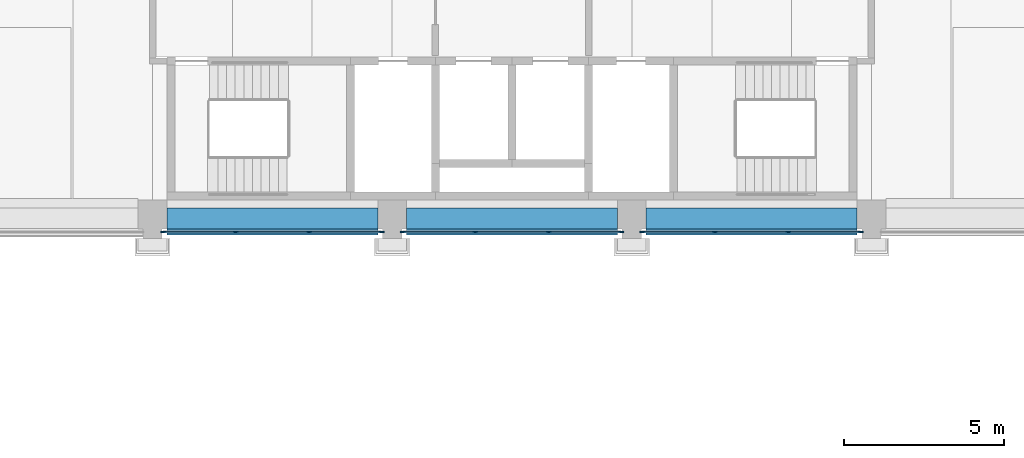
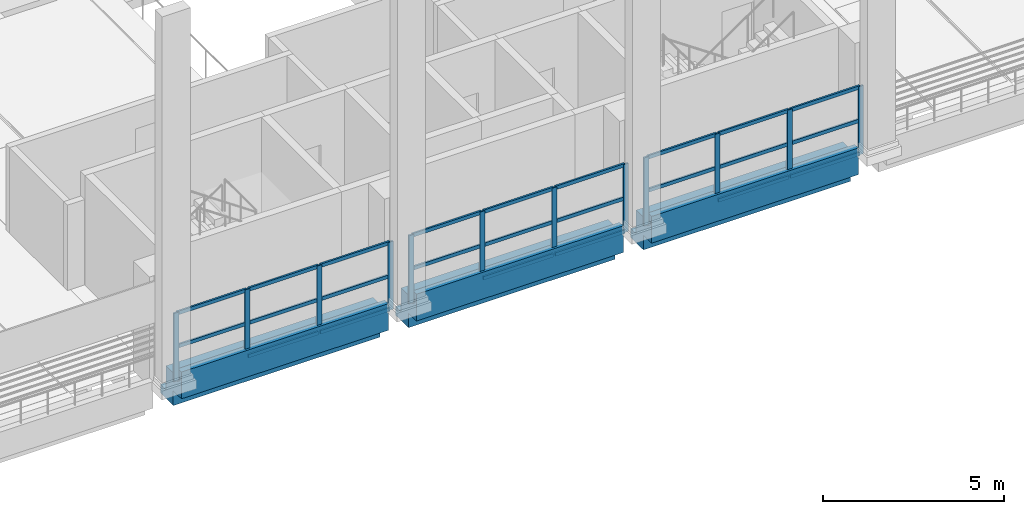
# One storey, part 7 of 67: 39 members, 3 beams, 3 elements without a shape of their own.
"""IFC4 building model written with IfcOpenShell, lengths in metres."""

import ifcopenshell
import ifcopenshell.guid

model = None  # the IFC model being written
_history = None  # IfcOwnerHistory: only IFC2X3 demands one
_inside = {}  # id of a spatial element -> (the spatial element, [elements in it])
_under = {}  # id of a project, library or spatial element -> (it, [spatial elements below it])
_declared = {}  # id of a project -> (the project, [libraries it declares])
_typed = {}  # id of a type object -> (the type object, [elements of that type])
_made_of = {}  # id of a material, layer set ... -> (it, [elements and type objects made of it])


def new_model(schema):
    """Start an empty IFC model of exactly this schema.

    Asked for "IFC4X3", IfcOpenShell would pick the latest addendum, in which some entities
    have other attributes; the version numbers below select the first issue.
    IFC2X3 requires an IfcOwnerHistory on every rooted entity: one is made here for all.
    """
    global model, _history
    if schema == "IFC4X3":
        model = ifcopenshell.file(schema_version=(4, 3, 0, 0))
    else:
        model = ifcopenshell.file(schema=schema)
    _inside.clear()
    _under.clear()
    _declared.clear()
    _typed.clear()
    _made_of.clear()
    _history = None
    if model.schema == "IFC2X3":
        org = make("IfcOrganization", Name="unknown")
        user = make(
            "IfcPersonAndOrganization",
            ThePerson=make("IfcPerson", FamilyName="unknown"),
            TheOrganization=org,
        )
        app = make(
            "IfcApplication",
            ApplicationDeveloper=org,
            Version="unknown",
            ApplicationFullName="unknown",
            ApplicationIdentifier="unknown",
        )
        _history = make(
            "IfcOwnerHistory",
            OwningUser=user,
            OwningApplication=app,
            ChangeAction="ADDED",
            CreationDate=0,
        )
    return model


def make(cls, **values):
    """One entity of the class cls with the attributes given. An attribute that is None is left unset."""
    return model.create_entity(
        cls, **{name: value for name, value in values.items() if value is not None}
    )


def rooted(cls, **values):
    """An entity with a GlobalId (a new one), such as an element, a storey or a relation."""
    return make(cls, GlobalId=ifcopenshell.guid.new(), OwnerHistory=_history, **values)


def si_unit(unit_type, name, prefix=None):
    """IfcSIUnit, for example si_unit("LENGTHUNIT", "METRE", prefix="MILLI")."""
    return make("IfcSIUnit", UnitType=unit_type, Prefix=prefix, Name=name)


def assignment(units):
    """IfcUnitAssignment: the units of a project."""
    return None if units is None else make("IfcUnitAssignment", Units=units)


def point(xyz):
    """IfcCartesianPoint."""
    return None if xyz is None else make("IfcCartesianPoint", Coordinates=xyz)


def direction(xyz):
    """IfcDirection."""
    return None if xyz is None else make("IfcDirection", DirectionRatios=xyz)


def frame(location, z_axis=None, x_axis=None):
    """IfcAxis2Placement3D, a coordinate frame: its origin and axes. An axis left out is left unset."""
    return make(
        "IfcAxis2Placement3D",
        Location=point(location),
        Axis=direction(z_axis),
        RefDirection=direction(x_axis),
    )


def frame_2d(location, x_axis=None):
    """IfcAxis2Placement2D, a coordinate frame in the plane: its origin and x axis."""
    return make(
        "IfcAxis2Placement2D", Location=point(location), RefDirection=direction(x_axis)
    )


def origin():
    """The frame at (0, 0, 0) with its axes left unset."""
    return frame((0.0, 0.0, 0.0))


def origin_2d():
    """The frame at (0, 0) in the plane with its x axis left unset."""
    return frame_2d((0.0, 0.0))


def place(relative_to, where):
    """IfcLocalPlacement: puts the frame where relative to a parent placement (None: the world)."""
    return make(
        "IfcLocalPlacement", PlacementRelTo=relative_to, RelativePlacement=where
    )


def context(
    kind, dimensions, precision=None, world=None, true_north=None, identifier=None
):
    """IfcGeometricRepresentationContext, for example the 3D "Model" context."""
    return make(
        "IfcGeometricRepresentationContext",
        ContextIdentifier=identifier,
        ContextType=kind,
        CoordinateSpaceDimension=dimensions,
        Precision=precision,
        WorldCoordinateSystem=world,
        TrueNorth=true_north,
    )


def subcontext(parent, identifier, kind, view, scale=None):
    """IfcGeometricRepresentationSubContext, for example "Body" below "Model"."""
    return make(
        "IfcGeometricRepresentationSubContext",
        ContextIdentifier=identifier,
        ContextType=kind,
        ParentContext=parent,
        TargetScale=scale,
        TargetView=view,
    )


def project(units=None, contexts=None):
    """IfcProject with its units and contexts."""
    return rooted(
        "IfcProject",
        Name="project",
        RepresentationContexts=contexts,
        UnitsInContext=assignment(units),
    )


def spatial(cls, under=None, at=None, **own):
    """A site, building, storey or space (cls), placed at a placement, below another one or the project."""
    s = rooted(cls, ObjectPlacement=at, **own)
    if under is not None:
        _under.setdefault(under.id(), (under, []))[1].append(s)
    return s


def polyline(points):
    """IfcPolyline through the points."""
    return make("IfcPolyline", Points=[point(p) for p in points])


def profile(cls, at=None, kind="AREA", **sizes):
    """A parametric profile (cls). Its sizes go by their IFC names, for example OverallWidth=200.0."""
    return make(cls, ProfileType=kind, Position=at, **sizes)


def rectangle(**sizes):
    """IfcRectangleProfileDef."""
    return profile("IfcRectangleProfileDef", **sizes)


def outline(outer, holes=None, kind="AREA"):
    """IfcArbitraryClosedProfileDef: a profile drawn as a closed curve; with holes, ...WithVoids."""
    if holes is None:
        return make("IfcArbitraryClosedProfileDef", ProfileType=kind, OuterCurve=outer)
    return make(
        "IfcArbitraryProfileDefWithVoids",
        ProfileType=kind,
        OuterCurve=outer,
        InnerCurves=holes,
    )


def extrude(swept, where, along, depth):
    """IfcExtrudedAreaSolid: the profile swept, set in the frame where, extruded along a direction by depth."""
    return make(
        "IfcExtrudedAreaSolid",
        SweptArea=swept,
        Position=where,
        ExtrudedDirection=direction(along),
        Depth=depth,
    )


def shape(context_of_items, identifier, shape_type, items):
    """IfcShapeRepresentation: the items that make up one representation, for example the "Body"."""
    return make(
        "IfcShapeRepresentation",
        ContextOfItems=context_of_items,
        RepresentationIdentifier=identifier,
        RepresentationType=shape_type,
        Items=items,
    )


def material(Name=None, Category=None):
    """IfcMaterial."""
    return make("IfcMaterial", Name=Name, Category=Category)


def layer(
    of_material, thickness, ventilated=None, Name=None, Category=None, Priority=None
):
    """IfcMaterialLayer: one layer of a wall or slab, of a material (None: an air gap)."""
    return make(
        "IfcMaterialLayer",
        Material=of_material,
        LayerThickness=thickness,
        IsVentilated=ventilated,
        Name=Name,
        Category=Category,
        Priority=Priority,
    )


def layer_set(layers, Name=None):
    """IfcMaterialLayerSet."""
    return make("IfcMaterialLayerSet", MaterialLayers=layers, LayerSetName=Name)


def material_profile(
    of_material, cross_section, Name=None, Category=None, Priority=None
):
    """IfcMaterialProfile: a cross section and its material."""
    return make(
        "IfcMaterialProfile",
        Name=Name,
        Material=of_material,
        Profile=cross_section,
        Priority=Priority,
        Category=Category,
    )


def profile_set(profiles, Name=None, composite=None):
    """IfcMaterialProfileSet."""
    return make(
        "IfcMaterialProfileSet",
        Name=Name,
        MaterialProfiles=profiles,
        CompositeProfile=composite,
    )


def made_of(thing, what):
    """Note that an element or type object is made of a material, layer set ...; save() writes the relation."""
    if what is not None:
        _made_of.setdefault(what.id(), (what, []))[1].append(thing)
    return thing


def type_object(cls, material=None, **own):
    """A type object (cls), such as IfcWallType, which elements share."""
    return made_of(rooted(cls, **own), material)


def element(
    cls,
    number,
    at=None,
    inside=None,
    cuts=None,
    type_object=None,
    material=None,
    context=None,
    identifier="Body",
    shape_type=None,
    held_by="IfcProductDefinitionShape",
    body=None,
    shapes=None,
    **own,
):
    """One element of the class cls, such as IfcWall. Its Tag is "e" and its number.

    at: its placement. inside: the storey or other place that contains it. cuts: it is an
    opening in that element (IfcRelVoidsElement). A single representation is given by context,
    identifier, shape_type and body (its items); several are given by shapes. held_by: the class
    of the entity that holds the representations. save() writes the other relations.
    """
    e = rooted(cls, Tag="e%d" % number, ObjectPlacement=at, **own)
    if body is not None:
        shapes = [shape(context, identifier, shape_type, body)]
    if shapes is not None:
        e.Representation = make(held_by, Representations=shapes)
    if inside is not None:
        _inside.setdefault(inside.id(), (inside, []))[1].append(e)
    if cuts is not None:
        rooted(
            "IfcRelVoidsElement", RelatingBuildingElement=cuts, RelatedOpeningElement=e
        )
    if type_object is not None:
        _typed.setdefault(type_object.id(), (type_object, []))[1].append(e)
    return made_of(e, material)


def aggregate(whole, parts):
    """IfcRelAggregates: a whole, such as a stair, and the parts it consists of."""
    return rooted("IfcRelAggregates", RelatingObject=whole, RelatedObjects=parts)


def save(model, path):
    """Write the relations noted so far, then the file.

    IfcRelAggregates (storeys below a building ...), IfcRelContainedInSpatialStructure (elements
    in a storey), IfcRelDefinesByType, IfcRelAssociatesMaterial and IfcRelDeclares: one each for
    every whole, place, type object, material and project.
    """
    for whole, parts in _under.values():
        aggregate(whole, parts)
    for where, things in _inside.values():
        rooted(
            "IfcRelContainedInSpatialStructure",
            RelatedElements=things,
            RelatingStructure=where,
        )
    for kind, things in _typed.values():
        rooted("IfcRelDefinesByType", RelatedObjects=things, RelatingType=kind)
    for what, things in _made_of.values():
        rooted("IfcRelAssociatesMaterial", RelatedObjects=things, RelatingMaterial=what)
    for by, libraries in _declared.values():
        rooted("IfcRelDeclares", RelatingContext=by, RelatedDefinitions=libraries)
    model.write(path)


model = new_model("IFC4")

# Units and contexts
model_context = context("Model", 3, precision=1e-05, world=origin(), true_north=direction((0.0, 1.0)))
body_context = subcontext(model_context, "Body", "Model", "MODEL_VIEW")
ifc_project = project(units=[si_unit("LENGTHUNIT", "METRE"), si_unit("AREAUNIT", "SQUARE_METRE"), si_unit("VOLUMEUNIT", "CUBIC_METRE"), si_unit("PLANEANGLEUNIT", "RADIAN"), si_unit("MASSUNIT", "GRAM", prefix="KILO")], contexts=[model_context])

# Site, building, storey
site_placement = place(None, origin())
site = spatial("IfcSite", under=ifc_project, at=site_placement, CompositionType="ELEMENT")
building_placement = place(site_placement, origin())
building = spatial("IfcBuilding", under=site, at=building_placement, Name="Cour d'Honneur Mobility Palace", CompositionType="ELEMENT")
storey_placement = place(building_placement, frame((0.0, 0.0, 4.5)))
storey = spatial("IfcBuildingStorey", under=building, at=storey_placement, Name="L01", CompositionType="ELEMENT", Elevation=4.5)

# Curtain wall, members
ifc_material_1 = material(Name="Aluminium and glass", Category="aluminium")
ifc_layer = layer(ifc_material_1, 0.10009765625)
ifc_layer_set = layer_set([ifc_layer], Name="Aluminium and glass")
curtain_wall_type = type_object("IfcCurtainWallType", Name="Curtain wall run", PredefinedType="NOTDEFINED", material=ifc_layer_set)
curtain_wall_1_placement = place(storey_placement, origin())
curtain_wall_1 = element("IfcCurtainWall", 1, at=curtain_wall_1_placement, inside=storey, type_object=curtain_wall_type, Name="Curtain wall CW-72", PredefinedType="NOTDEFINED")
ifc_material_2 = material(Name="Aluminium", Category="aluminium")
ifc_material_profile_1 = material_profile(ifc_material_2, rectangle(XDim=0.06005859375, YDim=0.159912109375, at=origin_2d()), Name="Curtain wall mullion")
ifc_profile_set_1 = profile_set([ifc_material_profile_1], Name="Aluminium")
member_type_1 = type_object("IfcMemberType", Name="Curtain wall mullion", PredefinedType="MULLION", material=ifc_profile_set_1)
member_1_placement = place(storey_placement, frame((70.22998046875, 44.449951171875, 0.0), z_axis=(0.0, 0.0, 1.0), x_axis=(0.0, 1.0, 0.0)))
member_1 = element("IfcMember", 2, at=member_1_placement, type_object=member_type_1, Name="CW-72 mullion 1", PredefinedType="MULLION", context=body_context, shape_type="SweptSolid", body=[
    extrude(rectangle(XDim=0.06005859375, YDim=0.159912109375, at=origin_2d()), origin(), (0.0, 0.0, 1.0), 2.300048828125),
])
member_2_placement = place(storey_placement, frame((72.5, 44.449951171875, 0.0), z_axis=(0.0, 0.0, 1.0), x_axis=(0.0, 1.0, 0.0)))
member_2 = element("IfcMember", 3, at=member_2_placement, type_object=member_type_1, Name="CW-72 mullion 2", PredefinedType="MULLION", context=body_context, shape_type="SweptSolid", body=[
    extrude(rectangle(XDim=0.06005859375, YDim=0.159912109375, at=origin_2d()), origin(), (0.0, 0.0, 1.0), 2.300048828125),
])
member_3_placement = place(storey_placement, frame((74.800048828125, 44.449951171875, 0.0), z_axis=(0.0, 0.0, 1.0), x_axis=(0.0, 1.0, 0.0)))
member_3 = element("IfcMember", 4, at=member_3_placement, type_object=member_type_1, Name="CW-72 mullion 3", PredefinedType="MULLION", context=body_context, shape_type="SweptSolid", body=[
    extrude(rectangle(XDim=0.06005859375, YDim=0.159912109375, at=origin_2d()), origin(), (0.0, 0.0, 1.0), 2.300048828125),
])
member_4_placement = place(storey_placement, frame((77.070068359375, 44.449951171875, 0.0), z_axis=(0.0, 0.0, 1.0), x_axis=(0.0, 1.0, 0.0)))
member_4 = element("IfcMember", 5, at=member_4_placement, type_object=member_type_1, Name="CW-72 mullion 4", PredefinedType="MULLION", context=body_context, shape_type="SweptSolid", body=[
    extrude(rectangle(XDim=0.06005859375, YDim=0.159912109375, at=origin_2d()), origin(), (0.0, 0.0, 1.0), 2.300048828125),
])

curtain_wall_2_placement = place(storey_placement, origin())
curtain_wall_2 = element("IfcCurtainWall", 6, at=curtain_wall_2_placement, inside=storey, type_object=curtain_wall_type, Name="Curtain wall CW-73", PredefinedType="NOTDEFINED")
member_5_placement = place(storey_placement, frame((77.72998046875, 44.449951171875, 0.0), z_axis=(0.0, 0.0, 1.0), x_axis=(0.0, 1.0, 0.0)))
member_5 = element("IfcMember", 7, at=member_5_placement, type_object=member_type_1, Name="CW-73 mullion 1", PredefinedType="MULLION", context=body_context, shape_type="SweptSolid", body=[
    extrude(rectangle(XDim=0.06005859375, YDim=0.159912109375, at=origin_2d()), origin(), (0.0, 0.0, 1.0), 2.300048828125),
])
member_6_placement = place(storey_placement, frame((80.0, 44.449951171875, 0.0), z_axis=(0.0, 0.0, 1.0), x_axis=(0.0, 1.0, 0.0)))
member_6 = element("IfcMember", 8, at=member_6_placement, type_object=member_type_1, Name="CW-73 mullion 2", PredefinedType="MULLION", context=body_context, shape_type="SweptSolid", body=[
    extrude(rectangle(XDim=0.06005859375, YDim=0.159912109375, at=origin_2d()), origin(), (0.0, 0.0, 1.0), 2.300048828125),
])
member_7_placement = place(storey_placement, frame((82.300048828125, 44.449951171875, 0.0), z_axis=(0.0, 0.0, 1.0), x_axis=(0.0, 1.0, 0.0)))
member_7 = element("IfcMember", 9, at=member_7_placement, type_object=member_type_1, Name="CW-73 mullion 3", PredefinedType="MULLION", context=body_context, shape_type="SweptSolid", body=[
    extrude(rectangle(XDim=0.06005859375, YDim=0.159912109375, at=origin_2d()), origin(), (0.0, 0.0, 1.0), 2.300048828125),
])
member_8_placement = place(storey_placement, frame((84.570068359375, 44.449951171875, 0.0), z_axis=(0.0, 0.0, 1.0), x_axis=(0.0, 1.0, 0.0)))
member_8 = element("IfcMember", 10, at=member_8_placement, type_object=member_type_1, Name="CW-73 mullion 4", PredefinedType="MULLION", context=body_context, shape_type="SweptSolid", body=[
    extrude(rectangle(XDim=0.06005859375, YDim=0.159912109375, at=origin_2d()), origin(), (0.0, 0.0, 1.0), 2.300048828125),
])

curtain_wall_3_placement = place(storey_placement, origin())
curtain_wall_3 = element("IfcCurtainWall", 11, at=curtain_wall_3_placement, inside=storey, type_object=curtain_wall_type, Name="Curtain wall CW-74", PredefinedType="NOTDEFINED")
member_9_placement = place(storey_placement, frame((85.22998046875, 44.449951171875, 0.0), z_axis=(0.0, 0.0, 1.0), x_axis=(0.0, 1.0, 0.0)))
member_9 = element("IfcMember", 12, at=member_9_placement, type_object=member_type_1, Name="CW-74 mullion 1", PredefinedType="MULLION", context=body_context, shape_type="SweptSolid", body=[
    extrude(rectangle(XDim=0.06005859375, YDim=0.159912109375, at=origin_2d()), origin(), (0.0, 0.0, 1.0), 2.300048828125),
])
member_10_placement = place(storey_placement, frame((87.5, 44.449951171875, 0.0), z_axis=(0.0, 0.0, 1.0), x_axis=(0.0, 1.0, 0.0)))
member_10 = element("IfcMember", 13, at=member_10_placement, type_object=member_type_1, Name="CW-74 mullion 2", PredefinedType="MULLION", context=body_context, shape_type="SweptSolid", body=[
    extrude(rectangle(XDim=0.06005859375, YDim=0.159912109375, at=origin_2d()), origin(), (0.0, 0.0, 1.0), 2.300048828125),
])
member_11_placement = place(storey_placement, frame((89.800048828125, 44.449951171875, 0.0), z_axis=(0.0, 0.0, 1.0), x_axis=(0.0, 1.0, 0.0)))
member_11 = element("IfcMember", 14, at=member_11_placement, type_object=member_type_1, Name="CW-74 mullion 3", PredefinedType="MULLION", context=body_context, shape_type="SweptSolid", body=[
    extrude(rectangle(XDim=0.06005859375, YDim=0.159912109375, at=origin_2d()), origin(), (0.0, 0.0, 1.0), 2.300048828125),
])
member_12_placement = place(storey_placement, frame((92.070068359375, 44.449951171875, 0.0), z_axis=(0.0, 0.0, 1.0), x_axis=(0.0, 1.0, 0.0)))
member_12 = element("IfcMember", 15, at=member_12_placement, type_object=member_type_1, Name="CW-74 mullion 4", PredefinedType="MULLION", context=body_context, shape_type="SweptSolid", body=[
    extrude(rectangle(XDim=0.06005859375, YDim=0.159912109375, at=origin_2d()), origin(), (0.0, 0.0, 1.0), 2.300048828125),
])

# Member
ifc_material_3 = material(Name="Aluminium", Category="aluminium")
ifc_material_profile_2 = material_profile(ifc_material_3, rectangle(XDim=0.06005859375, YDim=0.1201171875, at=origin_2d()), Name="Curtain wall transom")
ifc_profile_set_2 = profile_set([ifc_material_profile_2], Name="Aluminium")
member_type_2 = type_object("IfcMemberType", Name="Curtain wall transom", PredefinedType="USERDEFINED", material=ifc_profile_set_2)
member_13_placement = place(storey_placement, frame((70.260009765625, 44.449951171875, 0.030029296875), z_axis=(1.0, 0.0, 0.0), x_axis=(0.0, 1.0, 0.0)))
member_13 = element("IfcMember", 16, at=member_13_placement, type_object=member_type_2, Name="CW-72 transom 1.1", ObjectType="TRANSOM", PredefinedType="USERDEFINED", context=body_context, shape_type="SweptSolid", body=[
    extrude(rectangle(XDim=0.06005859375, YDim=0.1201171875, at=origin_2d()), origin(), (0.0, 0.0, 1.0), 2.2099609375),
])

member_14_placement = place(storey_placement, frame((70.260009765625, 44.449951171875, 1.14990234375), z_axis=(1.0, 0.0, 0.0), x_axis=(0.0, 1.0, 0.0)))
member_14 = element("IfcMember", 17, at=member_14_placement, type_object=member_type_2, Name="CW-72 transom 1.2", ObjectType="TRANSOM", PredefinedType="USERDEFINED", context=body_context, shape_type="SweptSolid", body=[
    extrude(rectangle(XDim=0.06005859375, YDim=0.1201171875, at=origin_2d()), origin(), (0.0, 0.0, 1.0), 2.2099609375),
])

member_15_placement = place(storey_placement, frame((70.260009765625, 44.449951171875, 2.27001953125), z_axis=(1.0, 0.0, 0.0), x_axis=(0.0, 1.0, 0.0)))
member_15 = element("IfcMember", 18, at=member_15_placement, type_object=member_type_2, Name="CW-72 transom 1.3", ObjectType="TRANSOM", PredefinedType="USERDEFINED", context=body_context, shape_type="SweptSolid", body=[
    extrude(rectangle(XDim=0.06005859375, YDim=0.1201171875, at=origin_2d()), origin(), (0.0, 0.0, 1.0), 2.2099609375),
])

member_16_placement = place(storey_placement, frame((72.530029296875, 44.449951171875, 0.030029296875), z_axis=(1.0, 0.0, 0.0), x_axis=(0.0, 1.0, 0.0)))
member_16 = element("IfcMember", 19, at=member_16_placement, type_object=member_type_2, Name="CW-72 transom 2.1", ObjectType="TRANSOM", PredefinedType="USERDEFINED", context=body_context, shape_type="SweptSolid", body=[
    extrude(rectangle(XDim=0.06005859375, YDim=0.1201171875, at=origin_2d()), origin(), (0.0, 0.0, 1.0), 2.239990234375),
])

member_17_placement = place(storey_placement, frame((72.530029296875, 44.449951171875, 1.14990234375), z_axis=(1.0, 0.0, 0.0), x_axis=(0.0, 1.0, 0.0)))
member_17 = element("IfcMember", 20, at=member_17_placement, type_object=member_type_2, Name="CW-72 transom 2.2", ObjectType="TRANSOM", PredefinedType="USERDEFINED", context=body_context, shape_type="SweptSolid", body=[
    extrude(rectangle(XDim=0.06005859375, YDim=0.1201171875, at=origin_2d()), origin(), (0.0, 0.0, 1.0), 2.239990234375),
])

member_18_placement = place(storey_placement, frame((72.530029296875, 44.449951171875, 2.27001953125), z_axis=(1.0, 0.0, 0.0), x_axis=(0.0, 1.0, 0.0)))
member_18 = element("IfcMember", 21, at=member_18_placement, type_object=member_type_2, Name="CW-72 transom 2.3", ObjectType="TRANSOM", PredefinedType="USERDEFINED", context=body_context, shape_type="SweptSolid", body=[
    extrude(rectangle(XDim=0.06005859375, YDim=0.1201171875, at=origin_2d()), origin(), (0.0, 0.0, 1.0), 2.239990234375),
])

member_19_placement = place(storey_placement, frame((74.830078125, 44.449951171875, 0.030029296875), z_axis=(1.0, 0.0, 0.0), x_axis=(0.0, 1.0, 0.0)))
member_19 = element("IfcMember", 22, at=member_19_placement, type_object=member_type_2, Name="CW-72 transom 3.1", ObjectType="TRANSOM", PredefinedType="USERDEFINED", context=body_context, shape_type="SweptSolid", body=[
    extrude(rectangle(XDim=0.06005859375, YDim=0.1201171875, at=origin_2d()), origin(), (0.0, 0.0, 1.0), 2.2099609375),
])

member_20_placement = place(storey_placement, frame((74.830078125, 44.449951171875, 1.14990234375), z_axis=(1.0, 0.0, 0.0), x_axis=(0.0, 1.0, 0.0)))
member_20 = element("IfcMember", 23, at=member_20_placement, type_object=member_type_2, Name="CW-72 transom 3.2", ObjectType="TRANSOM", PredefinedType="USERDEFINED", context=body_context, shape_type="SweptSolid", body=[
    extrude(rectangle(XDim=0.06005859375, YDim=0.1201171875, at=origin_2d()), origin(), (0.0, 0.0, 1.0), 2.2099609375),
])

member_21_placement = place(storey_placement, frame((74.830078125, 44.449951171875, 2.27001953125), z_axis=(1.0, 0.0, 0.0), x_axis=(0.0, 1.0, 0.0)))
member_21 = element("IfcMember", 24, at=member_21_placement, type_object=member_type_2, Name="CW-72 transom 3.3", ObjectType="TRANSOM", PredefinedType="USERDEFINED", context=body_context, shape_type="SweptSolid", body=[
    extrude(rectangle(XDim=0.06005859375, YDim=0.1201171875, at=origin_2d()), origin(), (0.0, 0.0, 1.0), 2.2099609375),
])

aggregate(curtain_wall_1, [member_1, member_2, member_3, member_4, member_13, member_14, member_15, member_16, member_17, member_18, member_19, member_20, member_21])

member_22_placement = place(storey_placement, frame((77.760009765625, 44.449951171875, 0.030029296875), z_axis=(1.0, 0.0, 0.0), x_axis=(0.0, 1.0, 0.0)))
member_22 = element("IfcMember", 25, at=member_22_placement, type_object=member_type_2, Name="CW-73 transom 1.1", ObjectType="TRANSOM", PredefinedType="USERDEFINED", context=body_context, shape_type="SweptSolid", body=[
    extrude(rectangle(XDim=0.06005859375, YDim=0.1201171875, at=origin_2d()), origin(), (0.0, 0.0, 1.0), 2.2099609375),
])

member_23_placement = place(storey_placement, frame((77.760009765625, 44.449951171875, 1.14990234375), z_axis=(1.0, 0.0, 0.0), x_axis=(0.0, 1.0, 0.0)))
member_23 = element("IfcMember", 26, at=member_23_placement, type_object=member_type_2, Name="CW-73 transom 1.2", ObjectType="TRANSOM", PredefinedType="USERDEFINED", context=body_context, shape_type="SweptSolid", body=[
    extrude(rectangle(XDim=0.06005859375, YDim=0.1201171875, at=origin_2d()), origin(), (0.0, 0.0, 1.0), 2.2099609375),
])

member_24_placement = place(storey_placement, frame((77.760009765625, 44.449951171875, 2.27001953125), z_axis=(1.0, 0.0, 0.0), x_axis=(0.0, 1.0, 0.0)))
member_24 = element("IfcMember", 27, at=member_24_placement, type_object=member_type_2, Name="CW-73 transom 1.3", ObjectType="TRANSOM", PredefinedType="USERDEFINED", context=body_context, shape_type="SweptSolid", body=[
    extrude(rectangle(XDim=0.06005859375, YDim=0.1201171875, at=origin_2d()), origin(), (0.0, 0.0, 1.0), 2.2099609375),
])

member_25_placement = place(storey_placement, frame((80.030029296875, 44.449951171875, 0.030029296875), z_axis=(1.0, 0.0, 0.0), x_axis=(0.0, 1.0, 0.0)))
member_25 = element("IfcMember", 28, at=member_25_placement, type_object=member_type_2, Name="CW-73 transom 2.1", ObjectType="TRANSOM", PredefinedType="USERDEFINED", context=body_context, shape_type="SweptSolid", body=[
    extrude(rectangle(XDim=0.06005859375, YDim=0.1201171875, at=origin_2d()), origin(), (0.0, 0.0, 1.0), 2.239990234375),
])

member_26_placement = place(storey_placement, frame((80.030029296875, 44.449951171875, 1.14990234375), z_axis=(1.0, 0.0, 0.0), x_axis=(0.0, 1.0, 0.0)))
member_26 = element("IfcMember", 29, at=member_26_placement, type_object=member_type_2, Name="CW-73 transom 2.2", ObjectType="TRANSOM", PredefinedType="USERDEFINED", context=body_context, shape_type="SweptSolid", body=[
    extrude(rectangle(XDim=0.06005859375, YDim=0.1201171875, at=origin_2d()), origin(), (0.0, 0.0, 1.0), 2.239990234375),
])

member_27_placement = place(storey_placement, frame((80.030029296875, 44.449951171875, 2.27001953125), z_axis=(1.0, 0.0, 0.0), x_axis=(0.0, 1.0, 0.0)))
member_27 = element("IfcMember", 30, at=member_27_placement, type_object=member_type_2, Name="CW-73 transom 2.3", ObjectType="TRANSOM", PredefinedType="USERDEFINED", context=body_context, shape_type="SweptSolid", body=[
    extrude(rectangle(XDim=0.06005859375, YDim=0.1201171875, at=origin_2d()), origin(), (0.0, 0.0, 1.0), 2.239990234375),
])

member_28_placement = place(storey_placement, frame((82.330078125, 44.449951171875, 0.030029296875), z_axis=(1.0, 0.0, 0.0), x_axis=(0.0, 1.0, 0.0)))
member_28 = element("IfcMember", 31, at=member_28_placement, type_object=member_type_2, Name="CW-73 transom 3.1", ObjectType="TRANSOM", PredefinedType="USERDEFINED", context=body_context, shape_type="SweptSolid", body=[
    extrude(rectangle(XDim=0.06005859375, YDim=0.1201171875, at=origin_2d()), origin(), (0.0, 0.0, 1.0), 2.2099609375),
])

member_29_placement = place(storey_placement, frame((82.330078125, 44.449951171875, 1.14990234375), z_axis=(1.0, 0.0, 0.0), x_axis=(0.0, 1.0, 0.0)))
member_29 = element("IfcMember", 32, at=member_29_placement, type_object=member_type_2, Name="CW-73 transom 3.2", ObjectType="TRANSOM", PredefinedType="USERDEFINED", context=body_context, shape_type="SweptSolid", body=[
    extrude(rectangle(XDim=0.06005859375, YDim=0.1201171875, at=origin_2d()), origin(), (0.0, 0.0, 1.0), 2.2099609375),
])

member_30_placement = place(storey_placement, frame((82.330078125, 44.449951171875, 2.27001953125), z_axis=(1.0, 0.0, 0.0), x_axis=(0.0, 1.0, 0.0)))
member_30 = element("IfcMember", 33, at=member_30_placement, type_object=member_type_2, Name="CW-73 transom 3.3", ObjectType="TRANSOM", PredefinedType="USERDEFINED", context=body_context, shape_type="SweptSolid", body=[
    extrude(rectangle(XDim=0.06005859375, YDim=0.1201171875, at=origin_2d()), origin(), (0.0, 0.0, 1.0), 2.2099609375),
])

aggregate(curtain_wall_2, [member_5, member_6, member_7, member_8, member_22, member_23, member_24, member_25, member_26, member_27, member_28, member_29, member_30])

member_31_placement = place(storey_placement, frame((85.260009765625, 44.449951171875, 0.030029296875), z_axis=(1.0, 0.0, 0.0), x_axis=(0.0, 1.0, 0.0)))
member_31 = element("IfcMember", 34, at=member_31_placement, type_object=member_type_2, Name="CW-74 transom 1.1", ObjectType="TRANSOM", PredefinedType="USERDEFINED", context=body_context, shape_type="SweptSolid", body=[
    extrude(rectangle(XDim=0.06005859375, YDim=0.1201171875, at=origin_2d()), origin(), (0.0, 0.0, 1.0), 2.2099609375),
])

member_32_placement = place(storey_placement, frame((85.260009765625, 44.449951171875, 1.14990234375), z_axis=(1.0, 0.0, 0.0), x_axis=(0.0, 1.0, 0.0)))
member_32 = element("IfcMember", 35, at=member_32_placement, type_object=member_type_2, Name="CW-74 transom 1.2", ObjectType="TRANSOM", PredefinedType="USERDEFINED", context=body_context, shape_type="SweptSolid", body=[
    extrude(rectangle(XDim=0.06005859375, YDim=0.1201171875, at=origin_2d()), origin(), (0.0, 0.0, 1.0), 2.2099609375),
])

member_33_placement = place(storey_placement, frame((85.260009765625, 44.449951171875, 2.27001953125), z_axis=(1.0, 0.0, 0.0), x_axis=(0.0, 1.0, 0.0)))
member_33 = element("IfcMember", 36, at=member_33_placement, type_object=member_type_2, Name="CW-74 transom 1.3", ObjectType="TRANSOM", PredefinedType="USERDEFINED", context=body_context, shape_type="SweptSolid", body=[
    extrude(rectangle(XDim=0.06005859375, YDim=0.1201171875, at=origin_2d()), origin(), (0.0, 0.0, 1.0), 2.2099609375),
])

member_34_placement = place(storey_placement, frame((87.530029296875, 44.449951171875, 0.030029296875), z_axis=(1.0, 0.0, 0.0), x_axis=(0.0, 1.0, 0.0)))
member_34 = element("IfcMember", 37, at=member_34_placement, type_object=member_type_2, Name="CW-74 transom 2.1", ObjectType="TRANSOM", PredefinedType="USERDEFINED", context=body_context, shape_type="SweptSolid", body=[
    extrude(rectangle(XDim=0.06005859375, YDim=0.1201171875, at=origin_2d()), origin(), (0.0, 0.0, 1.0), 2.239990234375),
])

member_35_placement = place(storey_placement, frame((87.530029296875, 44.449951171875, 1.14990234375), z_axis=(1.0, 0.0, 0.0), x_axis=(0.0, 1.0, 0.0)))
member_35 = element("IfcMember", 38, at=member_35_placement, type_object=member_type_2, Name="CW-74 transom 2.2", ObjectType="TRANSOM", PredefinedType="USERDEFINED", context=body_context, shape_type="SweptSolid", body=[
    extrude(rectangle(XDim=0.06005859375, YDim=0.1201171875, at=origin_2d()), origin(), (0.0, 0.0, 1.0), 2.239990234375),
])

member_36_placement = place(storey_placement, frame((87.530029296875, 44.449951171875, 2.27001953125), z_axis=(1.0, 0.0, 0.0), x_axis=(0.0, 1.0, 0.0)))
member_36 = element("IfcMember", 39, at=member_36_placement, type_object=member_type_2, Name="CW-74 transom 2.3", ObjectType="TRANSOM", PredefinedType="USERDEFINED", context=body_context, shape_type="SweptSolid", body=[
    extrude(rectangle(XDim=0.06005859375, YDim=0.1201171875, at=origin_2d()), origin(), (0.0, 0.0, 1.0), 2.239990234375),
])

member_37_placement = place(storey_placement, frame((89.830078125, 44.449951171875, 0.030029296875), z_axis=(1.0, 0.0, 0.0), x_axis=(0.0, 1.0, 0.0)))
member_37 = element("IfcMember", 40, at=member_37_placement, type_object=member_type_2, Name="CW-74 transom 3.1", ObjectType="TRANSOM", PredefinedType="USERDEFINED", context=body_context, shape_type="SweptSolid", body=[
    extrude(rectangle(XDim=0.06005859375, YDim=0.1201171875, at=origin_2d()), origin(), (0.0, 0.0, 1.0), 2.2099609375),
])

member_38_placement = place(storey_placement, frame((89.830078125, 44.449951171875, 1.14990234375), z_axis=(1.0, 0.0, 0.0), x_axis=(0.0, 1.0, 0.0)))
member_38 = element("IfcMember", 41, at=member_38_placement, type_object=member_type_2, Name="CW-74 transom 3.2", ObjectType="TRANSOM", PredefinedType="USERDEFINED", context=body_context, shape_type="SweptSolid", body=[
    extrude(rectangle(XDim=0.06005859375, YDim=0.1201171875, at=origin_2d()), origin(), (0.0, 0.0, 1.0), 2.2099609375),
])

member_39_placement = place(storey_placement, frame((89.830078125, 44.449951171875, 2.27001953125), z_axis=(1.0, 0.0, 0.0), x_axis=(0.0, 1.0, 0.0)))
member_39 = element("IfcMember", 42, at=member_39_placement, type_object=member_type_2, Name="CW-74 transom 3.3", ObjectType="TRANSOM", PredefinedType="USERDEFINED", context=body_context, shape_type="SweptSolid", body=[
    extrude(rectangle(XDim=0.06005859375, YDim=0.1201171875, at=origin_2d()), origin(), (0.0, 0.0, 1.0), 2.2099609375),
])

aggregate(curtain_wall_3, [member_9, member_10, member_11, member_12, member_31, member_32, member_33, member_34, member_35, member_36, member_37, member_38, member_39])

# Beams
ifc_material_4 = material(Name="Concrete C45", Category="concrete")
ifc_material_profile_3 = material_profile(ifc_material_4, outline(polyline([(0.5, -1.10009765625), (0.5, -0.800048828125), (0.199951171875, -0.800048828125), (0.199951171875, 0.0), (-0.199951171875, 0.0), (-0.449951171875, 0.0), (-0.449951171875, 0.300048828125), (-0.64990234375, 0.300048828125), (-0.64990234375, -0.60009765625), (-0.199951171875, -0.60009765625), (-0.199951171875, -1.10009765625), (0.5, -1.10009765625)])), Name="Ledger Beam 400x1100 ledge left 300 facade right")
ifc_profile_set_3 = profile_set([ifc_material_profile_3], Name="Concrete C45")
beam_type = type_object("IfcBeamType", Name="Ledger Beam 400x1100 ledge left 300 facade right", PredefinedType="BEAM", material=ifc_profile_set_3)
for number, where, z_axis, x_axis, name in (
    (43, (70.35009765625, 45.0, 0.0), (1.0, 0.0, 0.0), (0.0, 1.0, 0.0), "Precast beam B3 9-10 L01"),
    (44, (77.85009765625, 45.0, 0.0), (1.0, 0.0, 0.0), (0.0, 1.0, 0.0), "Precast beam B3 10-11 L01"),
    (45, (85.35009765625, 45.0, 0.0), (1.0, 0.0, 0.0), (0.0, 1.0, 0.0), "Precast beam B3 11-12 L01"),
):
    element("IfcBeam", number, at=place(storey_placement, frame(where, z_axis=z_axis, x_axis=x_axis)), inside=storey, type_object=beam_type, Name=name, PredefinedType="BEAM", context=body_context, shape_type="SweptSolid", body=[
        extrude(outline(polyline([(0.5, -1.10009765625), (0.5, -0.800048828125), (0.199951171875, -0.800048828125), (0.199951171875, 0.0), (-0.199951171875, 0.0), (-0.449951171875, 0.0), (-0.449951171875, 0.300048828125), (-0.64990234375, 0.300048828125), (-0.64990234375, -0.60009765625), (-0.199951171875, -0.60009765625), (-0.199951171875, -1.10009765625), (0.5, -1.10009765625)])), origin(), (0.0, 0.0, 1.0), 6.599853515625),
    ])

save(model, "model.ifc")
